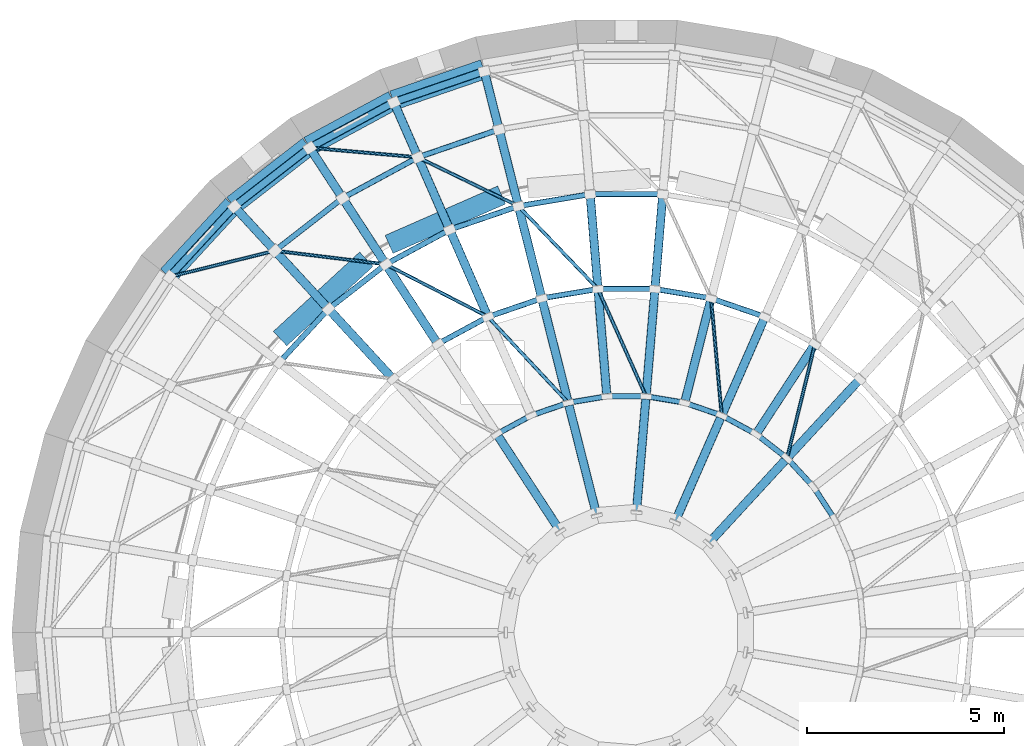
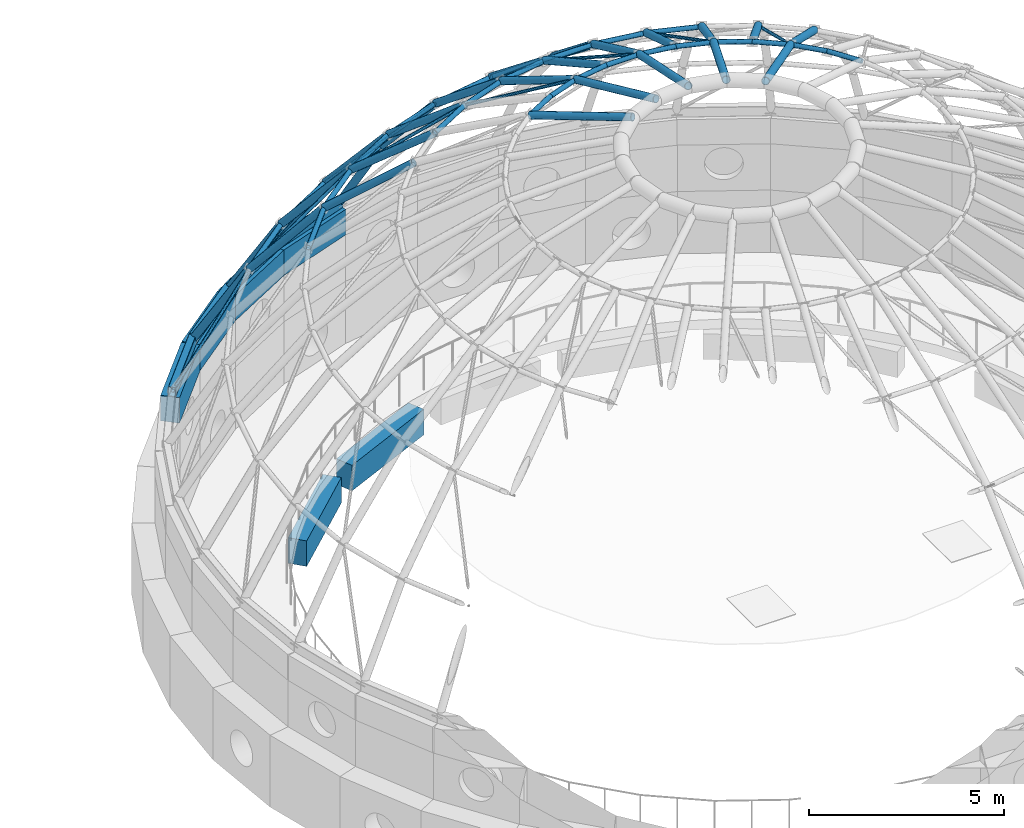
# One storey, part 32 of 98: 65 members, 6 beams.
"""IFC4 building model written with IfcOpenShell, lengths in metres."""

from ifc_helpers import new_model, si_unit, direction, frame, origin, origin_2d, place, context, subcontext, project, spatial, rectangle, hollow_rectangle, hollow_circle, extrude, material, material_profile, profile_set, type_object, element, save


model = new_model("IFC4")

# Units and contexts
model_context = context("Model", 3, precision=1e-05, world=origin(), true_north=direction((0.0, 1.0)))
body_context = subcontext(model_context, "Body", "Model", "MODEL_VIEW")
ifc_project = project(units=[si_unit("LENGTHUNIT", "METRE"), si_unit("AREAUNIT", "SQUARE_METRE"), si_unit("VOLUMEUNIT", "CUBIC_METRE"), si_unit("PLANEANGLEUNIT", "RADIAN"), si_unit("MASSUNIT", "GRAM", prefix="KILO")], contexts=[model_context])

# Site, building, storey
site_placement = place(None, origin())
site = spatial("IfcSite", under=ifc_project, at=site_placement, CompositionType="ELEMENT")
building_placement = place(site_placement, origin())
building = spatial("IfcBuilding", under=site, at=building_placement, Name="Sun Court Science Centre", CompositionType="ELEMENT")
storey_placement = place(building_placement, frame((0.0, 0.0, 15.75)))
storey = spatial("IfcBuildingStorey", under=building, at=storey_placement, Name="L03", CompositionType="ELEMENT", Elevation=15.75)

# Members
ifc_material_1 = material(Name="Steel S355", Category="steel")
ifc_material_profile_1 = material_profile(ifc_material_1, hollow_circle(Radius=0.04443359375, WallThickness=0.0048828125, at=origin_2d()), Name="CHS 88.9x5")
ifc_profile_set_1 = profile_set([ifc_material_profile_1], Name="Steel S355")
member_type_1 = type_object("IfcMemberType", Name="Dome brace CHS 88.9x5", PredefinedType="BRACE", material=ifc_profile_set_1)
for number, where, z_axis, x_axis, name in (
    (1, (55.075439453125, 101.22705078125, 12.534912109375), (0.215118638376, 0.877397318256, -0.428833204568), (-0.971234407533, 0.238125440944, 0.0), "Dome brace 2.5"),
    (2, (53.417236328125, 102.310546875, 12.534912109375), (-0.081435524296, 0.899707357811, -0.428829716417), (-0.995928666304, -0.090144836983, 0.0), "Dome brace 2.7"),
    (3, (51.496826171875, 102.796875, 12.534912109375), (-0.369114178262, 0.824539739949, -0.428822738029), (-0.912718724899, -0.408588459479, 0.0), "Dome brace 2.9"),
    (4, (49.522705078125, 102.63330078125, 12.534912109375), (-0.616842668226, 0.660000224023, -0.428841260778), (-0.730589924128, -0.682816492744, 0.0), "Dome brace 2.11"),
):
    element("IfcMember", number, at=place(storey_placement, frame(where, z_axis=z_axis, x_axis=x_axis)), inside=storey, type_object=member_type_1, Name=name, PredefinedType="BRACE", context=body_context, shape_type="SweptSolid", body=[
        extrude(hollow_circle(Radius=0.04443359375, WallThickness=0.0048828125, at=origin_2d()), origin(), (0.0, 0.0, 1.0), 3.3037109375),
    ])
for number, where, z_axis, x_axis, name in (
    (5, (50.27734375, 105.52099609375, 11.1181640625), (-0.579221049895, 0.603323147532, -0.548182592764), (-0.721368906072, -0.692551009929, 0.0), "Dome brace 3.10"),
    (6, (47.48486328125, 104.813720703125, 11.1181640625), (-0.743717027382, 0.382613159353, -0.548171645995), (-0.457471041187, -0.889224519722, 0.0), "Dome brace 3.12"),
):
    element("IfcMember", number, at=place(storey_placement, frame(where, z_axis=z_axis, x_axis=x_axis)), inside=storey, type_object=member_type_1, Name=name, PredefinedType="BRACE", context=body_context, shape_type="SweptSolid", body=[
        extrude(hollow_circle(Radius=0.04443359375, WallThickness=0.0048828125, at=origin_2d()), origin(), (0.0, 0.0, 1.0), 3.484619140625),
    ])
for number, where, z_axis, x_axis, name in (
    (7, (48.259033203125, 107.623291015625, 9.2080078125), (-0.694371485114, 0.337414288573, -0.635609816261), (-0.437059214748, -0.899432733896, 0.0), "Dome brace 4.11"),
    (8, (44.893310546875, 106.14697265625, 9.2080078125), (-0.766302537728, 0.093660676237, -0.635616313823), (-0.121321315237, -0.992613287474, 0.0), "Dome brace 4.13"),
):
    element("IfcMember", number, at=place(storey_placement, frame(where, z_axis=z_axis, x_axis=x_axis)), inside=storey, type_object=member_type_1, Name=name, PredefinedType="BRACE", context=body_context, shape_type="SweptSolid", body=[
        extrude(hollow_circle(Radius=0.04443359375, WallThickness=0.0048828125, at=origin_2d()), origin(), (0.0, 0.0, 1.0), 3.6728515625),
    ])
for number, where, z_axis, x_axis, name in (
    (9, (45.708740234375, 108.862548828125, 6.87353515625), (-0.73504393322, 0.06490482985, -0.674905755864), (-0.087958373127, -0.996124151196, 0.0), "Dome brace 5.12"),
    (10, (42.078857421875, 106.490966796875, 6.87353515625), (-0.716297637156, -0.177278767993, -0.674899943268), (0.240244673885, -0.97071236557, 0.0), "Dome brace 5.14"),
):
    element("IfcMember", number, at=place(storey_placement, frame(where, z_axis=z_axis, x_axis=x_axis)), inside=storey, type_object=member_type_1, Name=name, PredefinedType="BRACE", context=body_context, shape_type="SweptSolid", body=[
        extrude(hollow_circle(Radius=0.04443359375, WallThickness=0.0048828125, at=origin_2d()), origin(), (0.0, 0.0, 1.0), 3.739013671875),
    ])
ifc_material_2 = material(Name="Steel S355", Category="steel")
ifc_material_profile_2 = material_profile(ifc_material_2, hollow_circle(Radius=0.109619140625, WallThickness=0.010009765625, at=origin_2d()), Name="CHS 219.1x10")
ifc_profile_set_2 = profile_set([ifc_material_profile_2], Name="Steel S355")
member_type_2 = type_object("IfcMemberType", Name="Dome rib CHS 219.1x10", PredefinedType="RAFTER", material=ifc_profile_set_2)
member_1_placement = place(storey_placement, frame((56.9267578125, 103.238037109375, 11.1181640625), z_axis=(-0.601323996886, -0.653185515278, 0.460171852029), x_axis=(0.735710232443, -0.677296429843, 0.0)))
element("IfcMember", 11, at=member_1_placement, inside=storey, type_object=member_type_2, Name="Dome rib 5", PredefinedType="RAFTER", context=body_context, shape_type="SweptSolid", body=[
    extrude(hollow_circle(Radius=0.109619140625, WallThickness=0.010009765625, at=origin_2d()), origin(), (0.0, 0.0, 1.0), 3.078857421875),
])
member_2_placement = place(storey_placement, frame((55.075439453125, 101.22705078125, 12.534912109375), z_axis=(-0.649593642365, -0.705662828686, 0.282963022337), x_axis=(0.735731575603, -0.677273245197, 0.0)))
element("IfcMember", 12, at=member_2_placement, inside=storey, type_object=member_type_2, Name="Dome rib 5", PredefinedType="RAFTER", context=body_context, shape_type="SweptSolid", body=[
    extrude(hollow_circle(Radius=0.109619140625, WallThickness=0.010009765625, at=origin_2d()), origin(), (0.0, 0.0, 1.0), 3.078369140625),
])
for number, where, z_axis, x_axis, name in (
    (13, (55.7861328125, 104.125732421875, 11.1181640625), (-0.485584994242, -0.743247193539, 0.460207369196), (0.837167836069, -0.546946079839, 0.0), "Dome rib 6"),
    (14, (54.51513671875, 104.813720703125, 11.1181640625), (-0.356610821754, -0.813059985644, 0.460176250531), (0.915785903182, -0.401666751839, 0.0), "Dome rib 7"),
    (15, (53.417236328125, 102.310546875, 12.534912109375), (-0.385321614991, -0.878333444668, 0.2829445405), (0.915754591827, -0.401738133052, 0.0), "Dome rib 7"),
    (16, (53.148193359375, 105.282958984375, 11.1181640625), (-0.217921035409, -0.860661207165, 0.460187688674), (0.969407765918, -0.245455868492, 0.0), "Dome rib 8"),
):
    element("IfcMember", number, at=place(storey_placement, frame(where, z_axis=z_axis, x_axis=x_axis)), inside=storey, type_object=member_type_2, Name=name, PredefinedType="RAFTER", context=body_context, shape_type="SweptSolid", body=[
        extrude(hollow_circle(Radius=0.109619140625, WallThickness=0.010009765625, at=origin_2d()), origin(), (0.0, 0.0, 1.0), 3.07861328125),
    ])
member_3_placement = place(storey_placement, frame((51.922119140625, 107.9267578125, 9.2080078125), z_axis=(-0.064795619418, -0.781512893198, 0.6205152097), x_axis=(0.996580544382, -0.082626984449, 0.0)))
element("IfcMember", 17, at=member_3_placement, inside=storey, type_object=member_type_2, Name="Dome rib 9", PredefinedType="RAFTER", context=body_context, shape_type="SweptSolid", body=[
    extrude(hollow_circle(Radius=0.109619140625, WallThickness=0.010009765625, at=origin_2d()), origin(), (0.0, 0.0, 1.0), 3.078369140625),
])
for number, where, z_axis, x_axis, name in (
    (18, (51.72265625, 105.52099609375, 11.1181640625), (-0.073350029759, -0.884799602217, 0.460162402909), (0.996581392194, -0.082616758181, 0.0), "Dome rib 9"),
    (19, (51.496826171875, 102.796875, 12.534912109375), (-0.079140191412, -0.955867602489, 0.282938079117), (0.996590089928, -0.082511772835, 0.0), "Dome rib 9"),
):
    element("IfcMember", number, at=place(storey_placement, frame(where, z_axis=z_axis, x_axis=x_axis)), inside=storey, type_object=member_type_2, Name=name, PredefinedType="RAFTER", context=body_context, shape_type="SweptSolid", body=[
        extrude(hollow_circle(Radius=0.109619140625, WallThickness=0.010009765625, at=origin_2d()), origin(), (0.0, 0.0, 1.0), 3.078857421875),
    ])
member_4_placement = place(storey_placement, frame((50.077880859375, 107.9267578125, 9.2080078125), z_axis=(0.064795619418, -0.781512893198, 0.6205152097), x_axis=(0.996580544382, 0.082626984449, 0.0)))
element("IfcMember", 20, at=member_4_placement, inside=storey, type_object=member_type_2, Name="Dome rib 10", PredefinedType="RAFTER", context=body_context, shape_type="SweptSolid", body=[
    extrude(hollow_circle(Radius=0.109619140625, WallThickness=0.010009765625, at=origin_2d()), origin(), (0.0, 0.0, 1.0), 3.078369140625),
])
member_5_placement = place(storey_placement, frame((50.27734375, 105.52099609375, 11.1181640625), z_axis=(0.073350029759, -0.884799602217, 0.460162402909), x_axis=(0.996581392194, 0.082616758181, 0.0)))
element("IfcMember", 21, at=member_5_placement, inside=storey, type_object=member_type_2, Name="Dome rib 10", PredefinedType="RAFTER", context=body_context, shape_type="SweptSolid", body=[
    extrude(hollow_circle(Radius=0.109619140625, WallThickness=0.010009765625, at=origin_2d()), origin(), (0.0, 0.0, 1.0), 3.078857421875),
])
member_6_placement = place(storey_placement, frame((47.3916015625, 111.049072265625, 4.35009765625), z_axis=(0.127064936787, -0.501803027235, 0.855598167189), x_axis=(0.969404333392, 0.245469424572, 0.0)))
element("IfcMember", 22, at=member_6_placement, inside=storey, type_object=member_type_2, Name="Dome rib 11", PredefinedType="RAFTER", context=body_context, shape_type="SweptSolid", body=[
    extrude(hollow_circle(Radius=0.109619140625, WallThickness=0.010009765625, at=origin_2d()), origin(), (0.0, 0.0, 1.0), 2.94921875),
])
member_7_placement = place(storey_placement, frame((47.766357421875, 109.569091796875, 6.87353515625), z_axis=(0.160025195679, -0.632012294133, 0.758256155144), x_axis=(0.969408315262, 0.245453698896, 0.0)))
element("IfcMember", 23, at=member_7_placement, inside=storey, type_object=member_type_2, Name="Dome rib 11", PredefinedType="RAFTER", context=body_context, shape_type="SweptSolid", body=[
    extrude(hollow_circle(Radius=0.109619140625, WallThickness=0.010009765625, at=origin_2d()), origin(), (0.0, 0.0, 1.0), 3.078857421875),
])
for number, where, z_axis, x_axis, name in (
    (24, (48.259033203125, 107.623291015625, 9.2080078125), (0.192551982842, -0.760215530282, 0.620480524611), (0.969388349726, 0.245532538403, 0.0), "Dome rib 11"),
    (25, (48.851806640625, 105.282958984375, 11.1181640625), (0.217921035409, -0.860661207165, 0.460187688674), (0.969407765918, 0.245455868492, 0.0), "Dome rib 11"),
):
    element("IfcMember", number, at=place(storey_placement, frame(where, z_axis=z_axis, x_axis=x_axis)), inside=storey, type_object=member_type_2, Name=name, PredefinedType="RAFTER", context=body_context, shape_type="SweptSolid", body=[
        extrude(hollow_circle(Radius=0.109619140625, WallThickness=0.010009765625, at=origin_2d()), origin(), (0.0, 0.0, 1.0), 3.07861328125),
    ])
member_8_placement = place(storey_placement, frame((49.522705078125, 102.63330078125, 12.534912109375), z_axis=(0.235516214805, -0.929773608952, 0.282936651321), x_axis=(0.96938399758, 0.245549720496, 0.0)))
element("IfcMember", 26, at=member_8_placement, inside=storey, type_object=member_type_2, Name="Dome rib 11", PredefinedType="RAFTER", context=body_context, shape_type="SweptSolid", body=[
    extrude(hollow_circle(Radius=0.109619140625, WallThickness=0.010009765625, at=origin_2d()), origin(), (0.0, 0.0, 1.0), 3.078857421875),
])
member_9_placement = place(storey_placement, frame((45.095458984375, 110.2607421875, 4.35009765625), z_axis=(0.207936212699, -0.474064765178, 0.85558467136), x_axis=(0.915778921316, 0.40168266987, 0.0)))
element("IfcMember", 27, at=member_9_placement, inside=storey, type_object=member_type_2, Name="Dome rib 12", PredefinedType="RAFTER", context=body_context, shape_type="SweptSolid", body=[
    extrude(hollow_circle(Radius=0.109619140625, WallThickness=0.010009765625, at=origin_2d()), origin(), (0.0, 0.0, 1.0), 2.949462890625),
])
for number, where, z_axis, x_axis, name in (
    (28, (45.708740234375, 108.862548828125, 6.87353515625), (0.261934694681, -0.59698588603, 0.75828627022), (0.915732465011, 0.401788566941, 0.0), "Dome rib 12"),
    (29, (46.51513671875, 107.024658203125, 9.2080078125), (0.314997221206, -0.718180975641, 0.62047791005), (0.91578559843, 0.401667446661, 0.0), "Dome rib 12"),
):
    element("IfcMember", number, at=place(storey_placement, frame(where, z_axis=z_axis, x_axis=x_axis)), inside=storey, type_object=member_type_2, Name=name, PredefinedType="RAFTER", context=body_context, shape_type="SweptSolid", body=[
        extrude(hollow_circle(Radius=0.109619140625, WallThickness=0.010009765625, at=origin_2d()), origin(), (0.0, 0.0, 1.0), 3.07861328125),
    ])
member_10_placement = place(storey_placement, frame((42.96044921875, 109.105224609375, 4.35009765625), z_axis=(0.283180847183, -0.433338712366, 0.855585278131), x_axis=(0.837107620149, 0.547038236587, 0.0)))
element("IfcMember", 30, at=member_10_placement, inside=storey, type_object=member_type_2, Name="Dome rib 13", PredefinedType="RAFTER", context=body_context, shape_type="SweptSolid", body=[
    extrude(hollow_circle(Radius=0.109619140625, WallThickness=0.010009765625, at=origin_2d()), origin(), (0.0, 0.0, 1.0), 2.949462890625),
])
for number, where, z_axis, x_axis, name in (
    (31, (43.795654296875, 107.8271484375, 6.87353515625), (0.356547265486, -0.545764742232, 0.758297364897), (0.83717956798, 0.546928122295, 0.0), "Dome rib 13"),
    (32, (44.893310546875, 106.14697265625, 9.2080078125), (0.428942586682, -0.65653830193, 0.620456054391), (0.837163730619, 0.546952363681, 0.0), "Dome rib 13"),
):
    element("IfcMember", number, at=place(storey_placement, frame(where, z_axis=z_axis, x_axis=x_axis)), inside=storey, type_object=member_type_2, Name=name, PredefinedType="RAFTER", context=body_context, shape_type="SweptSolid", body=[
        extrude(hollow_circle(Radius=0.109619140625, WallThickness=0.010009765625, at=origin_2d()), origin(), (0.0, 0.0, 1.0), 3.07861328125),
    ])
member_11_placement = place(storey_placement, frame((47.708740234375, 101.837646484375, 12.534912109375), z_axis=(0.524562839952, -0.802981605043, 0.282938807702), x_axis=(0.837190932319, 0.546910726574, 0.0)))
element("IfcMember", 33, at=member_11_placement, inside=storey, type_object=member_type_2, Name="Dome rib 13", PredefinedType="RAFTER", context=body_context, shape_type="SweptSolid", body=[
    extrude(hollow_circle(Radius=0.109619140625, WallThickness=0.010009765625, at=origin_2d()), origin(), (0.0, 0.0, 1.0), 3.078857421875),
])
member_12_placement = place(storey_placement, frame((41.044677734375, 107.6142578125, 4.35009765625), z_axis=(0.350638953214, -0.380852177464, 0.855572289996), x_axis=(0.735685575744, 0.677323212095, 0.0)))
element("IfcMember", 34, at=member_12_placement, inside=storey, type_object=member_type_2, Name="Dome rib 14", PredefinedType="RAFTER", context=body_context, shape_type="SweptSolid", body=[
    extrude(hollow_circle(Radius=0.109619140625, WallThickness=0.010009765625, at=origin_2d()), origin(), (0.0, 0.0, 1.0), 2.949462890625),
])
for number, where, z_axis, x_axis, name in (
    (35, (42.078857421875, 106.490966796875, 6.87353515625), (0.441553388945, -0.479618336268, 0.75828547146), (0.735698222837, 0.677309474993, 0.0), "Dome rib 14"),
    (36, (43.438232421875, 105.014404296875, 9.2080078125), (0.531098361552, -0.577015332037, 0.620473880959), (0.735775801776, 0.677225198528, 0.0), "Dome rib 14"),
):
    element("IfcMember", number, at=place(storey_placement, frame(where, z_axis=z_axis, x_axis=x_axis)), inside=storey, type_object=member_type_2, Name=name, PredefinedType="RAFTER", context=body_context, shape_type="SweptSolid", body=[
        extrude(hollow_circle(Radius=0.109619140625, WallThickness=0.010009765625, at=origin_2d()), origin(), (0.0, 0.0, 1.0), 3.07861328125),
    ])
ifc_material_3 = material(Name="Steel S355", Category="steel")
ifc_material_profile_3 = material_profile(ifc_material_3, hollow_circle(Radius=0.06982421875, WallThickness=0.00634765625, at=origin_2d()), Name="CHS 139.7x6.3")
ifc_profile_set_3 = profile_set([ifc_material_profile_3], Name="Steel S355")
member_type_3 = type_object("IfcMemberType", Name="Dome ring CHS 139.7x6.3", PredefinedType="MEMBER", material=ifc_profile_set_3)
member_13_placement = place(storey_placement, frame((56.292236328125, 99.6640625, 12.534912109375), z_axis=(-0.547136827423, 0.837043184118, 0.0), x_axis=(-0.837043184118, -0.547136827423, 0.0)))
element("IfcMember", 37, at=member_13_placement, inside=storey, type_object=member_type_3, Name="Dome ring 2 chord 3", PredefinedType="MEMBER", context=body_context, shape_type="SweptSolid", body=[
    extrude(hollow_circle(Radius=0.06982421875, WallThickness=0.00634765625, at=origin_2d()), origin(), (0.0, 0.0, 1.0), 0.99365234375),
])
for number, where, z_axis, x_axis, name in (
    (38, (55.74853515625, 100.495849609375, 12.534912109375), (-0.677269374655, 0.735735138589, 0.0), (-0.735735138589, -0.677269374655, 0.0), "Dome ring 2 chord 4"),
    (39, (55.075439453125, 101.22705078125, 12.534912109375), (-0.789021422857, 0.614365684485, 0.0), (-0.614365684485, -0.789021422857, 0.0), "Dome ring 2 chord 5"),
):
    element("IfcMember", number, at=place(storey_placement, frame(where, z_axis=z_axis, x_axis=x_axis)), inside=storey, type_object=member_type_3, Name=name, PredefinedType="MEMBER", context=body_context, shape_type="SweptSolid", body=[
        extrude(hollow_circle(Radius=0.06982421875, WallThickness=0.00634765625, at=origin_2d()), origin(), (0.0, 0.0, 1.0), 0.993896484375),
    ])
member_14_placement = place(storey_placement, frame((54.291259765625, 101.837646484375, 12.534912109375), z_axis=(-0.879514791001, 0.475871550327, 0.0), x_axis=(-0.475871550327, -0.879514791001, 0.0)))
element("IfcMember", 40, at=member_14_placement, inside=storey, type_object=member_type_3, Name="Dome ring 2 chord 6", PredefinedType="MEMBER", context=body_context, shape_type="SweptSolid", body=[
    extrude(hollow_circle(Radius=0.06982421875, WallThickness=0.00634765625, at=origin_2d()), origin(), (0.0, 0.0, 1.0), 0.99365234375),
])
member_15_placement = place(storey_placement, frame((53.417236328125, 102.310546875, 12.534912109375), z_axis=(-0.945795109452, 0.32476393109, 0.0), x_axis=(-0.32476393109, -0.945795109452, 0.0)))
element("IfcMember", 41, at=member_15_placement, inside=storey, type_object=member_type_3, Name="Dome ring 2 chord 7", PredefinedType="MEMBER", context=body_context, shape_type="SweptSolid", body=[
    extrude(hollow_circle(Radius=0.06982421875, WallThickness=0.00634765625, at=origin_2d()), origin(), (0.0, 0.0, 1.0), 0.993896484375),
])
member_16_placement = place(storey_placement, frame((54.51513671875, 104.813720703125, 11.1181640625), z_axis=(-0.945824459236, 0.324678444481, 0.0), x_axis=(-0.324678444481, -0.945824459236, 0.0)))
element("IfcMember", 42, at=member_16_placement, inside=storey, type_object=member_type_3, Name="Dome ring 3 chord 7", PredefinedType="MEMBER", context=body_context, shape_type="SweptSolid", body=[
    extrude(hollow_circle(Radius=0.06982421875, WallThickness=0.00634765625, at=origin_2d()), origin(), (0.0, 0.0, 1.0), 1.4453125),
])
member_17_placement = place(storey_placement, frame((52.477294921875, 102.63330078125, 12.534912109375), z_axis=(-0.986367358599, 0.164558299368, 0.0), x_axis=(-0.164558299368, -0.986367358599, 0.0)))
element("IfcMember", 43, at=member_17_placement, inside=storey, type_object=member_type_3, Name="Dome ring 2 chord 8", PredefinedType="MEMBER", context=body_context, shape_type="SweptSolid", body=[
    extrude(hollow_circle(Radius=0.06982421875, WallThickness=0.00634765625, at=origin_2d()), origin(), (0.0, 0.0, 1.0), 0.994140625),
])
member_18_placement = place(storey_placement, frame((53.148193359375, 105.282958984375, 11.1181640625), z_axis=(-0.986343657342, 0.164700302433, 0.0), x_axis=(-0.164700302433, -0.986343657342, 0.0)))
element("IfcMember", 44, at=member_18_placement, inside=storey, type_object=member_type_3, Name="Dome ring 3 chord 8", PredefinedType="MEMBER", context=body_context, shape_type="SweptSolid", body=[
    extrude(hollow_circle(Radius=0.06982421875, WallThickness=0.00634765625, at=origin_2d()), origin(), (0.0, 0.0, 1.0), 1.4453125),
])
member_19_placement = place(storey_placement, frame((51.496826171875, 102.796875, 12.534912109375), z_axis=(-1.0, 0.0, 0.0), x_axis=(0.0, -1.0, 0.0)))
element("IfcMember", 45, at=member_19_placement, inside=storey, type_object=member_type_3, Name="Dome ring 2 chord 9", PredefinedType="MEMBER", context=body_context, shape_type="SweptSolid", body=[
    extrude(hollow_circle(Radius=0.06982421875, WallThickness=0.00634765625, at=origin_2d()), origin(), (0.0, 0.0, 1.0), 0.99365234375),
])
member_20_placement = place(storey_placement, frame((51.72265625, 105.52099609375, 11.1181640625), z_axis=(-1.0, 0.0, 0.0), x_axis=(0.0, -1.0, 0.0)))
element("IfcMember", 46, at=member_20_placement, inside=storey, type_object=member_type_3, Name="Dome ring 3 chord 9", PredefinedType="MEMBER", context=body_context, shape_type="SweptSolid", body=[
    extrude(hollow_circle(Radius=0.06982421875, WallThickness=0.00634765625, at=origin_2d()), origin(), (0.0, 0.0, 1.0), 1.4453125),
])
member_21_placement = place(storey_placement, frame((51.922119140625, 107.9267578125, 9.2080078125), z_axis=(-1.0, 0.0, 0.0), x_axis=(0.0, -1.0, 0.0)))
element("IfcMember", 47, at=member_21_placement, inside=storey, type_object=member_type_3, Name="Dome ring 4 chord 9", PredefinedType="MEMBER", context=body_context, shape_type="SweptSolid", body=[
    extrude(hollow_circle(Radius=0.06982421875, WallThickness=0.00634765625, at=origin_2d()), origin(), (0.0, 0.0, 1.0), 1.84423828125),
])
member_22_placement = place(storey_placement, frame((50.503173828125, 102.796875, 12.534912109375), z_axis=(-0.986367358599, -0.164558299368, 0.0), x_axis=(0.164558299368, -0.986367358599, 0.0)))
element("IfcMember", 48, at=member_22_placement, inside=storey, type_object=member_type_3, Name="Dome ring 2 chord 10", PredefinedType="MEMBER", context=body_context, shape_type="SweptSolid", body=[
    extrude(hollow_circle(Radius=0.06982421875, WallThickness=0.00634765625, at=origin_2d()), origin(), (0.0, 0.0, 1.0), 0.994140625),
])
member_23_placement = place(storey_placement, frame((50.27734375, 105.52099609375, 11.1181640625), z_axis=(-0.986343657342, -0.164700302433, 0.0), x_axis=(0.164700302433, -0.986343657342, 0.0)))
element("IfcMember", 49, at=member_23_placement, inside=storey, type_object=member_type_3, Name="Dome ring 3 chord 10", PredefinedType="MEMBER", context=body_context, shape_type="SweptSolid", body=[
    extrude(hollow_circle(Radius=0.06982421875, WallThickness=0.00634765625, at=origin_2d()), origin(), (0.0, 0.0, 1.0), 1.4453125),
])
member_24_placement = place(storey_placement, frame((50.077880859375, 107.9267578125, 9.2080078125), z_axis=(-0.986365282278, -0.164570744412, 0.0), x_axis=(0.164570744412, -0.986365282278, 0.0)))
element("IfcMember", 50, at=member_24_placement, inside=storey, type_object=member_type_3, Name="Dome ring 4 chord 10", PredefinedType="MEMBER", context=body_context, shape_type="SweptSolid", body=[
    extrude(hollow_circle(Radius=0.06982421875, WallThickness=0.00634765625, at=origin_2d()), origin(), (0.0, 0.0, 1.0), 1.843994140625),
])
member_25_placement = place(storey_placement, frame((49.522705078125, 102.63330078125, 12.534912109375), z_axis=(-0.945795109452, -0.32476393109, 0.0), x_axis=(0.32476393109, -0.945795109452, 0.0)))
element("IfcMember", 51, at=member_25_placement, inside=storey, type_object=member_type_3, Name="Dome ring 2 chord 11", PredefinedType="MEMBER", context=body_context, shape_type="SweptSolid", body=[
    extrude(hollow_circle(Radius=0.06982421875, WallThickness=0.00634765625, at=origin_2d()), origin(), (0.0, 0.0, 1.0), 0.993896484375),
])
member_26_placement = place(storey_placement, frame((48.851806640625, 105.282958984375, 11.1181640625), z_axis=(-0.945824459236, -0.324678444481, 0.0), x_axis=(0.324678444481, -0.945824459236, 0.0)))
element("IfcMember", 52, at=member_26_placement, inside=storey, type_object=member_type_3, Name="Dome ring 3 chord 11", PredefinedType="MEMBER", context=body_context, shape_type="SweptSolid", body=[
    extrude(hollow_circle(Radius=0.06982421875, WallThickness=0.00634765625, at=origin_2d()), origin(), (0.0, 0.0, 1.0), 1.4453125),
])
member_27_placement = place(storey_placement, frame((48.259033203125, 107.623291015625, 9.2080078125), z_axis=(-0.945825170955, -0.324676371158, 0.0), x_axis=(0.324676371158, -0.945825170955, 0.0)))
element("IfcMember", 53, at=member_27_placement, inside=storey, type_object=member_type_3, Name="Dome ring 4 chord 11", PredefinedType="MEMBER", context=body_context, shape_type="SweptSolid", body=[
    extrude(hollow_circle(Radius=0.06982421875, WallThickness=0.00634765625, at=origin_2d()), origin(), (0.0, 0.0, 1.0), 1.84375),
])
member_28_placement = place(storey_placement, frame((47.766357421875, 109.569091796875, 6.87353515625), z_axis=(-0.945794357384, -0.324766121294, 0.0), x_axis=(0.324766121294, -0.945794357384, 0.0)))
element("IfcMember", 54, at=member_28_placement, inside=storey, type_object=member_type_3, Name="Dome ring 5 chord 11", PredefinedType="MEMBER", context=body_context, shape_type="SweptSolid", body=[
    extrude(hollow_circle(Radius=0.06982421875, WallThickness=0.00634765625, at=origin_2d()), origin(), (0.0, 0.0, 1.0), 2.175537109375),
])
member_29_placement = place(storey_placement, frame((48.582763671875, 102.310546875, 12.534912109375), z_axis=(-0.879514791001, -0.475871550327, 0.0), x_axis=(0.475871550327, -0.879514791001, 0.0)))
element("IfcMember", 55, at=member_29_placement, inside=storey, type_object=member_type_3, Name="Dome ring 2 chord 12", PredefinedType="MEMBER", context=body_context, shape_type="SweptSolid", body=[
    extrude(hollow_circle(Radius=0.06982421875, WallThickness=0.00634765625, at=origin_2d()), origin(), (0.0, 0.0, 1.0), 0.99365234375),
])
member_30_placement = place(storey_placement, frame((47.48486328125, 104.813720703125, 11.1181640625), z_axis=(-0.879427525006, -0.476032801665, 0.0), x_axis=(0.476032801665, -0.879427525006, 0.0)))
element("IfcMember", 56, at=member_30_placement, inside=storey, type_object=member_type_3, Name="Dome ring 3 chord 12", PredefinedType="MEMBER", context=body_context, shape_type="SweptSolid", body=[
    extrude(hollow_circle(Radius=0.06982421875, WallThickness=0.00634765625, at=origin_2d()), origin(), (0.0, 0.0, 1.0), 1.4453125),
])
member_31_placement = place(storey_placement, frame((46.51513671875, 107.024658203125, 9.2080078125), z_axis=(-0.879474406293, -0.475946182541, 0.0), x_axis=(0.475946182541, -0.879474406293, 0.0)))
element("IfcMember", 57, at=member_31_placement, inside=storey, type_object=member_type_3, Name="Dome ring 4 chord 12", PredefinedType="MEMBER", context=body_context, shape_type="SweptSolid", body=[
    extrude(hollow_circle(Radius=0.06982421875, WallThickness=0.00634765625, at=origin_2d()), origin(), (0.0, 0.0, 1.0), 1.843994140625),
])
member_32_placement = place(storey_placement, frame((45.708740234375, 108.862548828125, 6.87353515625), z_axis=(-0.879456421799, -0.475979413585, 0.0), x_axis=(0.475979413585, -0.879456421799, 0.0)))
element("IfcMember", 58, at=member_32_placement, inside=storey, type_object=member_type_3, Name="Dome ring 5 chord 12", PredefinedType="MEMBER", context=body_context, shape_type="SweptSolid", body=[
    extrude(hollow_circle(Radius=0.06982421875, WallThickness=0.00634765625, at=origin_2d()), origin(), (0.0, 0.0, 1.0), 2.17529296875),
])
member_33_placement = place(storey_placement, frame((44.893310546875, 106.14697265625, 9.2080078125), z_axis=(-0.78913115247, -0.61422473428, 0.0), x_axis=(0.61422473428, -0.78913115247, 0.0)))
element("IfcMember", 59, at=member_33_placement, inside=storey, type_object=member_type_3, Name="Dome ring 4 chord 13", PredefinedType="MEMBER", context=body_context, shape_type="SweptSolid", body=[
    extrude(hollow_circle(Radius=0.06982421875, WallThickness=0.00634765625, at=origin_2d()), origin(), (0.0, 0.0, 1.0), 1.843994140625),
])
member_34_placement = place(storey_placement, frame((43.795654296875, 107.8271484375, 6.87353515625), z_axis=(-0.789152763941, -0.614196967726, 0.0), x_axis=(0.614196967726, -0.789152763941, 0.0)))
element("IfcMember", 60, at=member_34_placement, inside=storey, type_object=member_type_3, Name="Dome ring 5 chord 13", PredefinedType="MEMBER", context=body_context, shape_type="SweptSolid", body=[
    extrude(hollow_circle(Radius=0.06982421875, WallThickness=0.00634765625, at=origin_2d()), origin(), (0.0, 0.0, 1.0), 2.175537109375),
])
member_35_placement = place(storey_placement, frame((43.438232421875, 105.014404296875, 9.2080078125), z_axis=(-0.677311749809, -0.735696128555, 0.0), x_axis=(0.735696128555, -0.677311749809, 0.0)))
element("IfcMember", 61, at=member_35_placement, inside=storey, type_object=member_type_3, Name="Dome ring 4 chord 14", PredefinedType="MEMBER", context=body_context, shape_type="SweptSolid", body=[
    extrude(hollow_circle(Radius=0.06982421875, WallThickness=0.00634765625, at=origin_2d()), origin(), (0.0, 0.0, 1.0), 1.843994140625),
])
ifc_material_4 = material(Name="Steel S355", Category="steel")
ifc_material_profile_4 = material_profile(ifc_material_4, hollow_rectangle(XDim=0.199951171875, YDim=0.300048828125, WallThickness=0.012451171875, InnerFilletRadius=0.012451171875, OuterFilletRadius=0.018798828125, at=origin_2d()), Name="RHS 300x200x12.5")
ifc_profile_set_4 = profile_set([ifc_material_profile_4], Name="Steel S355")
member_type_4 = type_object("IfcMemberType", Name="Dome tension ring RHS 300x200x12.5", PredefinedType="MEMBER", material=ifc_profile_set_4)
for number, where, z_axis, x_axis, name in (
    (62, (47.3916015625, 111.049072265625, 4.35009765625), (-0.945809229431, -0.324722807212, 0.0), (0.324722807212, -0.945809229431, 0.0), "Dome tension ring 11"),
    (63, (45.095458984375, 110.2607421875, 4.35009765625), (-0.879455116322, -0.475981825678, 0.0), (0.475981825678, -0.879455116322, 0.0), "Dome tension ring 12"),
):
    element("IfcMember", number, at=place(storey_placement, frame(where, z_axis=z_axis, x_axis=x_axis)), inside=storey, type_object=member_type_4, Name=name, PredefinedType="MEMBER", context=body_context, shape_type="SweptSolid", body=[
        extrude(hollow_rectangle(XDim=0.199951171875, YDim=0.300048828125, WallThickness=0.012451171875, InnerFilletRadius=0.012451171875, OuterFilletRadius=0.018798828125, at=origin_2d()), origin(), (0.0, 0.0, 1.0), 2.427734375),
    ])
for number, where, z_axis, x_axis, name in (
    (64, (42.96044921875, 109.105224609375, 4.35009765625), (-0.789168062521, -0.614177310796, 0.0), (0.614177310796, -0.789168062521, 0.0), "Dome tension ring 13"),
    (65, (41.044677734375, 107.6142578125, 4.35009765625), (-0.677235165569, -0.735766627755, 0.0), (0.735766627755, -0.677235165569, 0.0), "Dome tension ring 14"),
):
    element("IfcMember", number, at=place(storey_placement, frame(where, z_axis=z_axis, x_axis=x_axis)), inside=storey, type_object=member_type_4, Name=name, PredefinedType="MEMBER", context=body_context, shape_type="SweptSolid", body=[
        extrude(hollow_rectangle(XDim=0.199951171875, YDim=0.300048828125, WallThickness=0.012451171875, InnerFilletRadius=0.012451171875, OuterFilletRadius=0.018798828125, at=origin_2d()), origin(), (0.0, 0.0, 1.0), 2.427490234375),
    ])

# Beams
ifc_material_5 = material(Name="Concrete C25/30", Category="concrete")
ifc_material_profile_5 = material_profile(ifc_material_5, rectangle(XDim=0.5, YDim=0.800048828125, at=origin_2d()), Name="RC 500x800")
ifc_profile_set_5 = profile_set([ifc_material_profile_5], Name="Concrete C25/30")
beam_type = type_object("IfcBeamType", Name="RC girder 500x800", PredefinedType="BEAM", material=ifc_profile_set_5)
beam_1_placement = place(storey_placement, frame((47.37939453125, 111.097900390625, 3.800048828125), z_axis=(-0.945808813777, -0.32472401787, 0.0), x_axis=(0.32472401787, -0.945808813777, 0.0)))
element("IfcBeam", 66, at=beam_1_placement, inside=storey, type_object=beam_type, Name="Drum ring beam 11", PredefinedType="BEAM", context=body_context, shape_type="SweptSolid", body=[
    extrude(rectangle(XDim=0.5, YDim=0.800048828125, at=origin_2d()), origin(), (0.0, 0.0, 1.0), 2.43603515625),
])
beam_2_placement = place(storey_placement, frame((45.075439453125, 110.306884765625, 3.800048828125), z_axis=(-0.879487748824, -0.475921526796, 0.0), x_axis=(0.475921526796, -0.879487748824, 0.0)))
element("IfcBeam", 67, at=beam_2_placement, inside=storey, type_object=beam_type, Name="Drum ring beam 12", PredefinedType="BEAM", context=body_context, shape_type="SweptSolid", body=[
    extrude(rectangle(XDim=0.5, YDim=0.800048828125, at=origin_2d()), origin(), (0.0, 0.0, 1.0), 2.436279296875),
])
beam_3_placement = place(storey_placement, frame((42.932861328125, 109.1474609375, 3.800048828125), z_axis=(-0.78913088347, -0.614225079881, 0.0), x_axis=(0.614225079881, -0.78913088347, 0.0)))
element("IfcBeam", 68, at=beam_3_placement, inside=storey, type_object=beam_type, Name="Drum ring beam 13", PredefinedType="BEAM", context=body_context, shape_type="SweptSolid", body=[
    extrude(rectangle(XDim=0.5, YDim=0.800048828125, at=origin_2d()), origin(), (0.0, 0.0, 1.0), 2.435791015625),
])
beam_4_placement = place(storey_placement, frame((41.0107421875, 107.6513671875, 3.800048828125), z_axis=(-0.677288810182, -0.735717247047, 0.0), x_axis=(0.735717247047, -0.677288810182, 0.0)))
element("IfcBeam", 69, at=beam_4_placement, inside=storey, type_object=beam_type, Name="Drum ring beam 14", PredefinedType="BEAM", context=body_context, shape_type="SweptSolid", body=[
    extrude(rectangle(XDim=0.5, YDim=0.800048828125, at=origin_2d()), origin(), (0.0, 0.0, 1.0), 2.43603515625),
])
beam_5_placement = place(storey_placement, frame((47.83203125, 107.904541015625, -0.699951171875), z_axis=(-0.915776085797, -0.401689134385, 0.0), x_axis=(0.401689134385, -0.915776085797, 0.0)))
element("IfcBeam", 70, at=beam_5_placement, inside=storey, type_object=beam_type, Name="Gallery ring beam", PredefinedType="BEAM", context=body_context, shape_type="SweptSolid", body=[
    extrude(rectangle(XDim=0.5, YDim=0.800048828125, at=origin_2d()), origin(), (0.0, 0.0, 1.0), 3.119140625),
])
beam_6_placement = place(storey_placement, frame((44.398193359375, 106.2744140625, -0.699951171875), z_axis=(-0.735718344426, -0.677287618132, 0.0), x_axis=(0.677287618132, -0.735718344426, 0.0)))
element("IfcBeam", 71, at=beam_6_placement, inside=storey, type_object=beam_type, Name="Gallery ring beam", PredefinedType="BEAM", context=body_context, shape_type="SweptSolid", body=[
    extrude(rectangle(XDim=0.5, YDim=0.800048828125, at=origin_2d()), origin(), (0.0, 0.0, 1.0), 2.974853515625),
])

save(model, "model.ifc")
